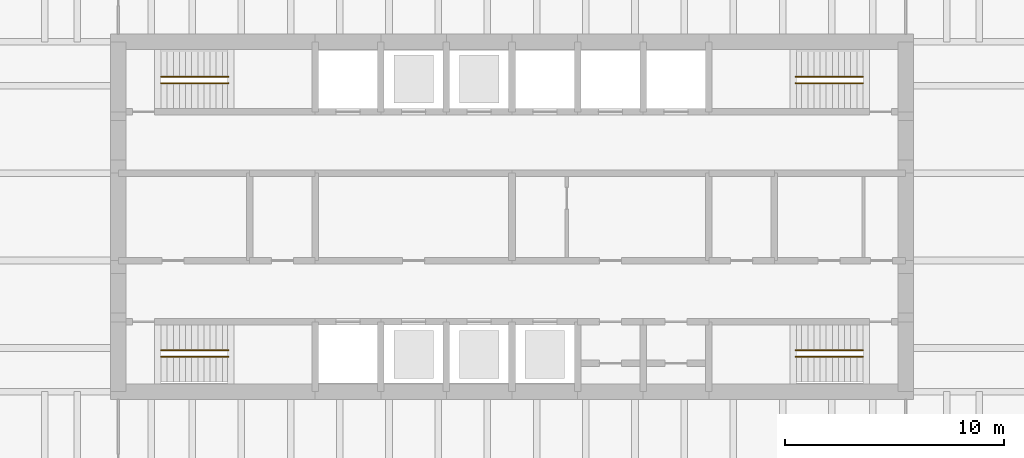
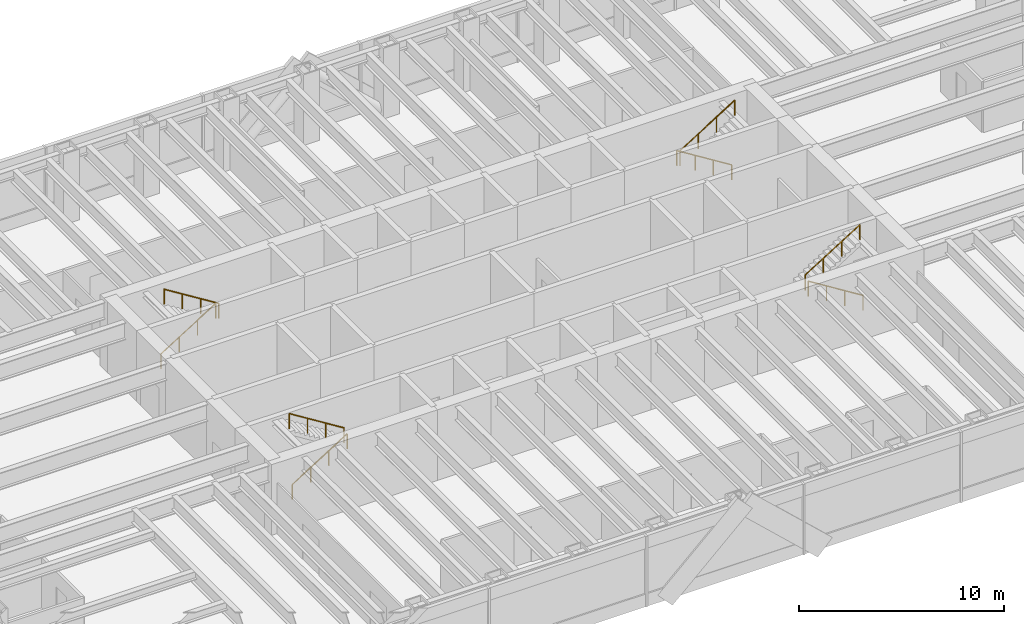
# One storey, part 11 of 12: 8 railings.
"""IFC4 building model written with IfcOpenShell, lengths in metres."""

from ifc_helpers import new_model, si_unit, direction, frame, origin, origin_2d, place, context, subcontext, project, spatial, circle, extrude, material, type_object, element, save


model = new_model("IFC4")

# Units and contexts
model_context = context("Model", 3, precision=1e-05, world=origin(), true_north=direction((0.0, 1.0)))
body_context = subcontext(model_context, "Body", "Model", "MODEL_VIEW")
ifc_project = project(units=[si_unit("LENGTHUNIT", "METRE"), si_unit("AREAUNIT", "SQUARE_METRE"), si_unit("VOLUMEUNIT", "CUBIC_METRE"), si_unit("PLANEANGLEUNIT", "RADIAN"), si_unit("MASSUNIT", "GRAM", prefix="KILO")], contexts=[model_context])

# Site, building, storey
site_placement = place(None, origin())
site = spatial("IfcSite", under=ifc_project, at=site_placement, CompositionType="ELEMENT")
building_placement = place(site_placement, origin())
building = spatial("IfcBuilding", under=site, at=building_placement, Name="Rheinbord Bourse Tower", CompositionType="ELEMENT")
storey_placement = place(building_placement, frame((0.0, 0.0, 271.10009765625)))
storey = spatial("IfcBuildingStorey", under=building, at=storey_placement, Name="L61", CompositionType="ELEMENT", Elevation=271.10009765625)

# Railings
ifc_material = material(Name="Steel handrail", Category="steel")
railing_type = type_object("IfcRailingType", Name="HANDRAIL 900", PredefinedType="HANDRAIL", material=ifc_material)
railing_1_placement = place(storey_placement, frame((19.949951171875, 17.60009765625, 0.1748046875)))
element("IfcRailing", 1, at=railing_1_placement, inside=storey, type_object=railing_type, Name="Handrail", PredefinedType="HANDRAIL", context=body_context, shape_type="SweptSolid", body=[
    extrude(circle(Radius=0.02392578125, at=origin_2d()), frame((0.0, 0.0, 0.8759765625), z_axis=(0.847998304005, 0.0, 0.529998940003), x_axis=(0.0, 1.0, 0.0)), (0.0, 0.0, 1.0), 3.632080078125),
    extrude(circle(Radius=0.02099609375, at=origin_2d()), origin(), (0.0, 0.0, 1.0), 0.851806640625),
    extrude(circle(Radius=0.02099609375, at=origin_2d()), frame((1.026611328125, 0.0, 0.6416015625)), (0.0, 0.0, 1.0), 0.851806640625),
    extrude(circle(Radius=0.02099609375, at=origin_2d()), frame((2.053466796875, 0.0, 1.283447265625)), (0.0, 0.0, 1.0), 0.851806640625),
    extrude(circle(Radius=0.02099609375, at=origin_2d()), frame((3.080078125, 0.0, 1.925048828125)), (0.0, 0.0, 1.0), 0.851806640625),
])
railing_2_placement = place(storey_placement, frame((23.030029296875, 17.89990234375, 2.27490234375)))
element("IfcRailing", 2, at=railing_2_placement, inside=storey, type_object=railing_type, Name="Handrail", PredefinedType="HANDRAIL", context=body_context, shape_type="SweptSolid", body=[
    extrude(circle(Radius=0.02392578125, at=origin_2d()), frame((0.0, 0.0, 0.8759765625), z_axis=(-0.847998304005, 0.0, 0.529998940003), x_axis=(0.0, -1.0, 0.0)), (0.0, 0.0, 1.0), 3.632080078125),
    extrude(circle(Radius=0.02099609375, at=origin_2d()), origin(), (0.0, 0.0, 1.0), 0.851806640625),
    extrude(circle(Radius=0.02099609375, at=origin_2d()), frame((-1.026611328125, 0.0, 0.6416015625)), (0.0, 0.0, 1.0), 0.851806640625),
    extrude(circle(Radius=0.02099609375, at=origin_2d()), frame((-2.053466796875, 0.0, 1.283447265625)), (0.0, 0.0, 1.0), 0.851806640625),
    extrude(circle(Radius=0.02099609375, at=origin_2d()), frame((-3.080078125, 0.0, 1.925048828125)), (0.0, 0.0, 1.0), 0.851806640625),
])
railing_3_placement = place(storey_placement, frame((19.949951171875, 30.39990234375, 0.1748046875)))
element("IfcRailing", 3, at=railing_3_placement, inside=storey, type_object=railing_type, Name="Handrail", PredefinedType="HANDRAIL", context=body_context, shape_type="SweptSolid", body=[
    extrude(circle(Radius=0.02392578125, at=origin_2d()), frame((0.0, 0.0, 0.8759765625), z_axis=(0.847998304005, 0.0, 0.529998940003), x_axis=(0.0, 1.0, 0.0)), (0.0, 0.0, 1.0), 3.632080078125),
    extrude(circle(Radius=0.02099609375, at=origin_2d()), origin(), (0.0, 0.0, 1.0), 0.851806640625),
    extrude(circle(Radius=0.02099609375, at=origin_2d()), frame((1.026611328125, 0.0, 0.6416015625)), (0.0, 0.0, 1.0), 0.851806640625),
    extrude(circle(Radius=0.02099609375, at=origin_2d()), frame((2.053466796875, 0.0, 1.283447265625)), (0.0, 0.0, 1.0), 0.851806640625),
    extrude(circle(Radius=0.02099609375, at=origin_2d()), frame((3.080078125, 0.0, 1.925048828125)), (0.0, 0.0, 1.0), 0.851806640625),
])
for number, where, name in (
    (4, (23.030029296875, 30.10009765625, 2.27490234375), "Handrail"),
    (5, (52.050048828125, 17.60009765625, 0.1748046875), "Handrail"),
):
    element("IfcRailing", number, at=place(storey_placement, frame(where)), inside=storey, type_object=railing_type, Name=name, PredefinedType="HANDRAIL", context=body_context, shape_type="SweptSolid", body=[
        extrude(circle(Radius=0.02392578125, at=origin_2d()), frame((0.0, 0.0, 0.8759765625), z_axis=(-0.847998304005, 0.0, 0.529998940003), x_axis=(0.0, -1.0, 0.0)), (0.0, 0.0, 1.0), 3.632080078125),
        extrude(circle(Radius=0.02099609375, at=origin_2d()), origin(), (0.0, 0.0, 1.0), 0.851806640625),
        extrude(circle(Radius=0.02099609375, at=origin_2d()), frame((-1.026611328125, 0.0, 0.6416015625)), (0.0, 0.0, 1.0), 0.851806640625),
        extrude(circle(Radius=0.02099609375, at=origin_2d()), frame((-2.053466796875, 0.0, 1.283447265625)), (0.0, 0.0, 1.0), 0.851806640625),
        extrude(circle(Radius=0.02099609375, at=origin_2d()), frame((-3.080078125, 0.0, 1.925048828125)), (0.0, 0.0, 1.0), 0.851806640625),
    ])
railing_4_placement = place(storey_placement, frame((48.969970703125, 17.89990234375, 2.27490234375)))
element("IfcRailing", 6, at=railing_4_placement, inside=storey, type_object=railing_type, Name="Handrail", PredefinedType="HANDRAIL", context=body_context, shape_type="SweptSolid", body=[
    extrude(circle(Radius=0.02392578125, at=origin_2d()), frame((0.0, 0.0, 0.8759765625), z_axis=(0.847998304005, 0.0, 0.529998940003), x_axis=(0.0, 1.0, 0.0)), (0.0, 0.0, 1.0), 3.632080078125),
    extrude(circle(Radius=0.02099609375, at=origin_2d()), origin(), (0.0, 0.0, 1.0), 0.851806640625),
    extrude(circle(Radius=0.02099609375, at=origin_2d()), frame((1.026611328125, 0.0, 0.6416015625)), (0.0, 0.0, 1.0), 0.851806640625),
    extrude(circle(Radius=0.02099609375, at=origin_2d()), frame((2.053466796875, 0.0, 1.283447265625)), (0.0, 0.0, 1.0), 0.851806640625),
    extrude(circle(Radius=0.02099609375, at=origin_2d()), frame((3.080078125, 0.0, 1.925048828125)), (0.0, 0.0, 1.0), 0.851806640625),
])
railing_5_placement = place(storey_placement, frame((52.050048828125, 30.39990234375, 0.1748046875)))
element("IfcRailing", 7, at=railing_5_placement, inside=storey, type_object=railing_type, Name="Handrail", PredefinedType="HANDRAIL", context=body_context, shape_type="SweptSolid", body=[
    extrude(circle(Radius=0.02392578125, at=origin_2d()), frame((0.0, 0.0, 0.8759765625), z_axis=(-0.847998304005, 0.0, 0.529998940003), x_axis=(0.0, -1.0, 0.0)), (0.0, 0.0, 1.0), 3.632080078125),
    extrude(circle(Radius=0.02099609375, at=origin_2d()), origin(), (0.0, 0.0, 1.0), 0.851806640625),
    extrude(circle(Radius=0.02099609375, at=origin_2d()), frame((-1.026611328125, 0.0, 0.6416015625)), (0.0, 0.0, 1.0), 0.851806640625),
    extrude(circle(Radius=0.02099609375, at=origin_2d()), frame((-2.053466796875, 0.0, 1.283447265625)), (0.0, 0.0, 1.0), 0.851806640625),
    extrude(circle(Radius=0.02099609375, at=origin_2d()), frame((-3.080078125, 0.0, 1.925048828125)), (0.0, 0.0, 1.0), 0.851806640625),
])
railing_6_placement = place(storey_placement, frame((48.969970703125, 30.10009765625, 2.27490234375)))
element("IfcRailing", 8, at=railing_6_placement, inside=storey, type_object=railing_type, Name="Handrail", PredefinedType="HANDRAIL", context=body_context, shape_type="SweptSolid", body=[
    extrude(circle(Radius=0.02392578125, at=origin_2d()), frame((0.0, 0.0, 0.8759765625), z_axis=(0.847998304005, 0.0, 0.529998940003), x_axis=(0.0, 1.0, 0.0)), (0.0, 0.0, 1.0), 3.632080078125),
    extrude(circle(Radius=0.02099609375, at=origin_2d()), origin(), (0.0, 0.0, 1.0), 0.851806640625),
    extrude(circle(Radius=0.02099609375, at=origin_2d()), frame((1.026611328125, 0.0, 0.6416015625)), (0.0, 0.0, 1.0), 0.851806640625),
    extrude(circle(Radius=0.02099609375, at=origin_2d()), frame((2.053466796875, 0.0, 1.283447265625)), (0.0, 0.0, 1.0), 0.851806640625),
    extrude(circle(Radius=0.02099609375, at=origin_2d()), frame((3.080078125, 0.0, 1.925048828125)), (0.0, 0.0, 1.0), 0.851806640625),
])

save(model, "model.ifc")
